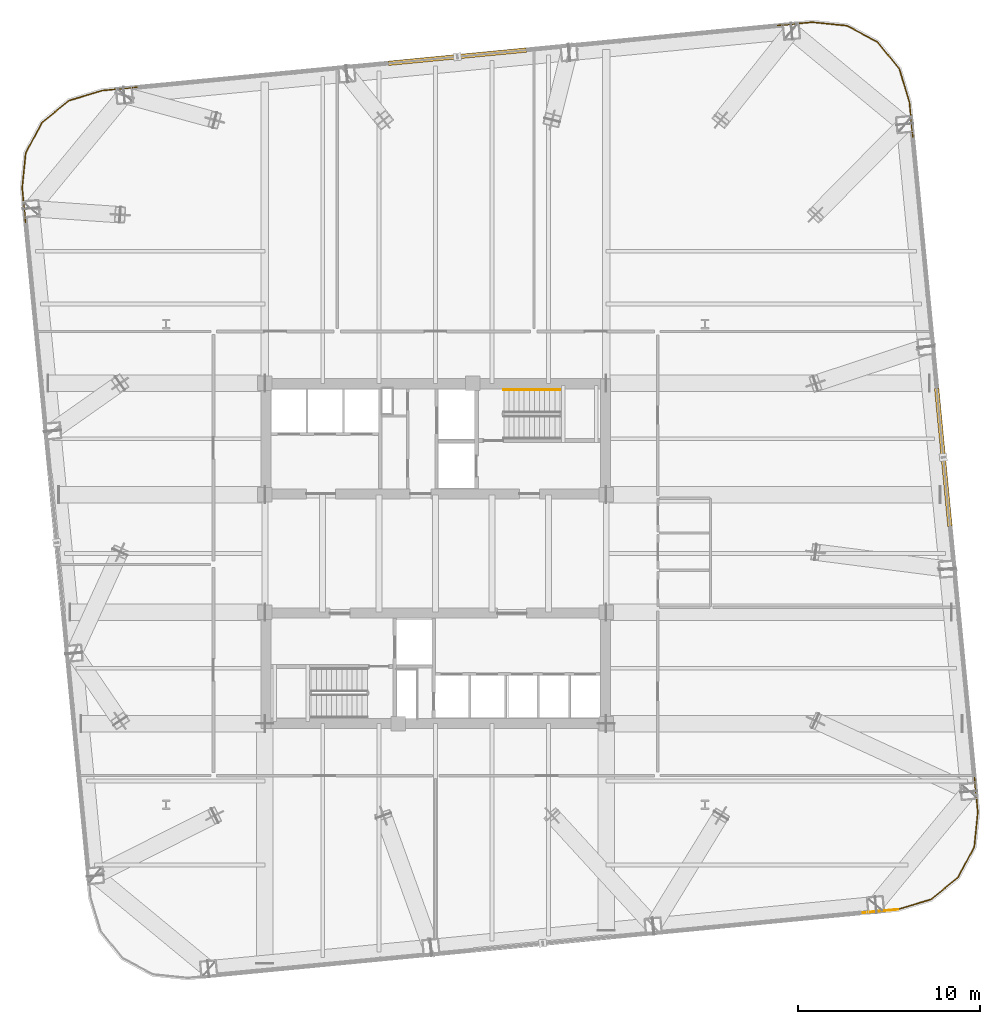
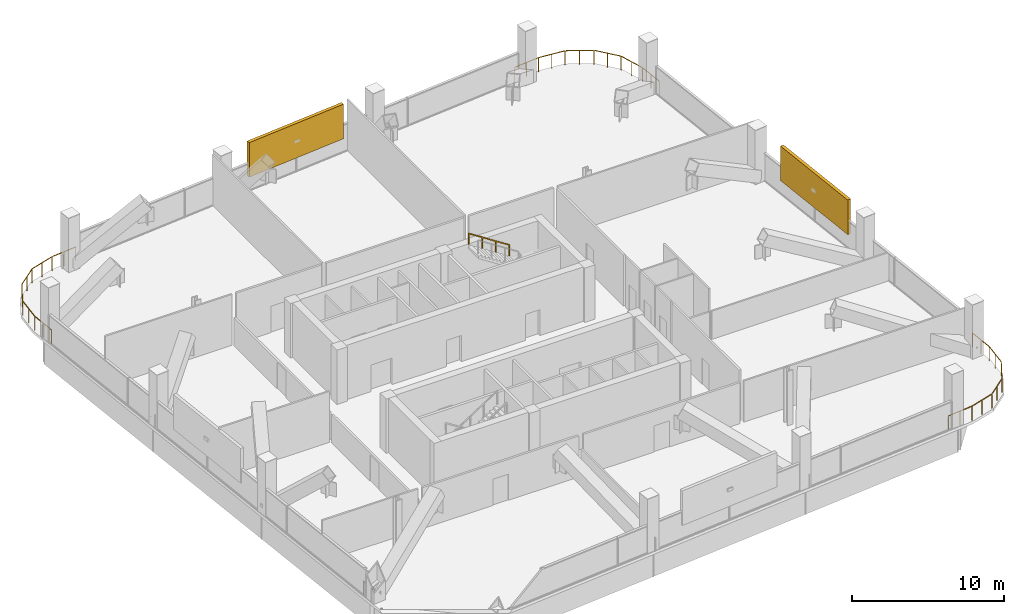
# One storey, part 30 of 30: 5 railings, 2 shading devices.
"""IFC4 building model written with IfcOpenShell, lengths in metres."""

from ifc_helpers import new_model, si_unit, direction, frame, origin, origin_2d, place, context, subcontext, project, spatial, rectangle, extrude, material, type_object, element, save


model = new_model("IFC4")

# Units and contexts
model_context = context("Model", 3, precision=1e-05, world=origin(), true_north=direction((0.0, 1.0)))
body_context = subcontext(model_context, "Body", "Model", "MODEL_VIEW")
ifc_project = project(units=[si_unit("LENGTHUNIT", "METRE"), si_unit("AREAUNIT", "SQUARE_METRE"), si_unit("VOLUMEUNIT", "CUBIC_METRE"), si_unit("PLANEANGLEUNIT", "RADIAN"), si_unit("MASSUNIT", "GRAM", prefix="KILO")], contexts=[model_context])

# Site, building, storey
site_placement = place(None, origin())
site = spatial("IfcSite", under=ifc_project, at=site_placement, CompositionType="ELEMENT")
building_placement = place(site_placement, origin())
building = spatial("IfcBuilding", under=site, at=building_placement, Name="Qhalaya Broadcast Tower", CompositionType="ELEMENT")
storey_placement = place(building_placement, frame((0.0, 0.0, 96.89990234375)))
storey = spatial("IfcBuildingStorey", under=building, at=storey_placement, Name="L28", CompositionType="ELEMENT", Elevation=96.89990234375)

# Railings
ifc_material_1 = material(Name="Powder-Coated Galvanised Steel", Category="steel")
railing_type_1 = type_object("IfcRailingType", Name="Stair Wall Handrail 900", PredefinedType="HANDRAIL", material=ifc_material_1)
railing_1_placement = place(storey_placement, frame((6.830078125, 9.590087890625, 2.3564453125)))
element("IfcRailing", 1, at=railing_1_placement, inside=storey, type_object=railing_type_1, Name="L28 ST-1 Stair Handrail 2", PredefinedType="HANDRAIL", context=body_context, shape_type="SweptSolid", body=[
    extrude(rectangle(XDim=0.048095703125, YDim=0.048095703125, at=origin_2d()), frame((0.0, 0.0, 0.8759765625), z_axis=(-0.839488025565, 0.0, 0.543378187759), x_axis=(0.0, -1.0, 0.0)), (0.0, 0.0, 1.0), 3.6689453125),
    extrude(rectangle(XDim=0.0419921875, YDim=0.0419921875, at=origin_2d()), origin(), (0.0, 0.0, 1.0), 0.849853515625),
    extrude(rectangle(XDim=0.0419921875, YDim=0.0419921875, at=origin_2d()), frame((-1.026611328125, 0.0, 0.66455078125)), (0.0, 0.0, 1.0), 0.849853515625),
    extrude(rectangle(XDim=0.0419921875, YDim=0.0419921875, at=origin_2d()), frame((-2.053466796875, 0.0, 1.3291015625)), (0.0, 0.0, 1.0), 0.849853515625),
    extrude(rectangle(XDim=0.0419921875, YDim=0.0419921875, at=origin_2d()), frame((-3.080078125, 0.0, 1.99365234375)), (0.0, 0.0, 1.0), 0.849853515625),
])
railing_type_2 = type_object("IfcRailingType", Name="Terrace, Sky-Pool & Lookout Glass Balustrade 1150", PredefinedType="BALUSTRADE", material=ifc_material_1)
railing_2_placement = place(storey_placement, frame((25.38427734375, -18.949951171875, 0.0)))
element("IfcRailing", 2, at=railing_2_placement, inside=storey, type_object=railing_type_2, Name="L28 Rounded Corner Perimeter Guard 01", PredefinedType="BALUSTRADE", context=body_context, shape_type="SweptSolid", body=[
    extrude(rectangle(XDim=0.048095703125, YDim=0.048095703125, at=origin_2d()), frame((0.0, 0.0, 1.1259765625), z_axis=(-0.995400577609, -0.095800261458, 0.0), x_axis=(0.095800261458, -0.995400577609, 0.0)), (0.0, 0.0, 1.0), 1.90625),
    extrude(rectangle(XDim=0.0419921875, YDim=0.0419921875, at=origin_2d()), origin(), (0.0, 0.0, 1.0), 1.099853515625),
    extrude(rectangle(XDim=0.0419921875, YDim=0.0419921875, at=origin_2d()), frame((-0.94873046875, -0.09130859375, 0.0)), (0.0, 0.0, 1.0), 1.099853515625),
    extrude(rectangle(XDim=0.0419921875, YDim=0.0419921875, at=origin_2d()), frame((-1.8974609375, -0.1826171875, 0.0)), (0.0, 0.0, 1.0), 1.099853515625),
])
railing_3_placement = place(storey_placement, frame((-22.52197265625, 18.794189453125, 0.0)))
element("IfcRailing", 3, at=railing_3_placement, inside=storey, type_object=railing_type_2, Name="L28 Rounded Corner Perimeter Guard 03", PredefinedType="BALUSTRADE", context=body_context, shape_type="SweptSolid", body=[
    extrude(rectangle(XDim=0.048095703125, YDim=0.048095703125, at=origin_2d()), frame((0.0, 0.0, 1.1259765625), z_axis=(-0.095800261458, 0.995400577609, 0.0), x_axis=(-0.995400577609, -0.095800261458, 0.0)), (0.0, 0.0, 1.0), 1.87744140625),
    extrude(rectangle(XDim=0.048095703125, YDim=0.048095703125, at=origin_2d()), frame((-0.1796875, 1.92626953125, 1.1259765625), z_axis=(0.100071682341, 0.994980230152, 0.0), x_axis=(-0.994980230152, 0.100071682341, 0.0)), (0.0, 0.0, 1.0), 1.857421875),
    extrude(rectangle(XDim=0.048095703125, YDim=0.048095703125, at=origin_2d()), frame((0.022705078125, 3.828369140625, 1.1259765625), z_axis=(0.473342342286, 0.880878554058, 0.0), x_axis=(-0.880878554058, 0.473342342286, 0.0)), (0.0, 0.0, 1.0), 1.845458984375),
    extrude(rectangle(XDim=0.048095703125, YDim=0.048095703125, at=origin_2d()), frame((0.932373046875, 5.497802734375, 1.1259765625), z_axis=(0.774420039683, 0.632671796541, 0.0), x_axis=(-0.632671796541, 0.774420039683, 0.0)), (0.0, 0.0, 1.0), 1.845458984375),
    extrude(rectangle(XDim=0.048095703125, YDim=0.048095703125, at=origin_2d()), frame((2.411376953125, 6.69189453125, 1.1259765625), z_axis=(0.95756627332, 0.288213171456, 0.0), x_axis=(-0.288213171456, 0.95756627332, 0.0)), (0.0, 0.0, 1.0), 1.857421875),
    extrude(rectangle(XDim=0.048095703125, YDim=0.048095703125, at=origin_2d()), frame((4.24658203125, 7.23828125, 1.1259765625), z_axis=(0.995387177703, 0.095939389538, 0.0), x_axis=(-0.095939389538, 0.995387177703, 0.0)), (0.0, 0.0, 1.0), 1.877197265625),
    extrude(rectangle(XDim=0.0419921875, YDim=0.0419921875, at=origin_2d()), origin(), (0.0, 0.0, 1.0), 1.099853515625),
    extrude(rectangle(XDim=0.0419921875, YDim=0.0419921875, at=origin_2d()), frame((-0.09130859375, 0.94873046875, 0.0)), (0.0, 0.0, 1.0), 1.099853515625),
    extrude(rectangle(XDim=0.0419921875, YDim=0.0419921875, at=origin_2d()), frame((-0.1826171875, 1.8974609375, 0.0)), (0.0, 0.0, 1.0), 1.099853515625),
    extrude(rectangle(XDim=0.0419921875, YDim=0.0419921875, at=origin_2d()), frame((-0.0869140625, 2.85009765625, 0.0)), (0.0, 0.0, 1.0), 1.099853515625),
    extrude(rectangle(XDim=0.0419921875, YDim=0.0419921875, at=origin_2d()), frame((0.009033203125, 3.802978515625, 0.0)), (0.0, 0.0, 1.0), 1.099853515625),
    extrude(rectangle(XDim=0.0419921875, YDim=0.0419921875, at=origin_2d()), frame((0.45947265625, 4.64111328125, 0.0)), (0.0, 0.0, 1.0), 1.099853515625),
    extrude(rectangle(XDim=0.0419921875, YDim=0.0419921875, at=origin_2d()), frame((0.909912109375, 5.4794921875, 0.0)), (0.0, 0.0, 1.0), 1.099853515625),
    extrude(rectangle(XDim=0.0419921875, YDim=0.0419921875, at=origin_2d()), frame((1.64697265625, 6.08154296875, 0.0)), (0.0, 0.0, 1.0), 1.099853515625),
    extrude(rectangle(XDim=0.0419921875, YDim=0.0419921875, at=origin_2d()), frame((2.3837890625, 6.68359375, 0.0)), (0.0, 0.0, 1.0), 1.099853515625),
    extrude(rectangle(XDim=0.0419921875, YDim=0.0419921875, at=origin_2d()), frame((3.30078125, 6.95947265625, 0.0)), (0.0, 0.0, 1.0), 1.099853515625),
    extrude(rectangle(XDim=0.0419921875, YDim=0.0419921875, at=origin_2d()), frame((4.2177734375, 7.235595703125, 0.0)), (0.0, 0.0, 1.0), 1.099853515625),
    extrude(rectangle(XDim=0.0419921875, YDim=0.0419921875, at=origin_2d()), frame((5.16650390625, 7.3271484375, 0.0)), (0.0, 0.0, 1.0), 1.099853515625),
    extrude(rectangle(XDim=0.0419921875, YDim=0.0419921875, at=origin_2d()), frame((6.114990234375, 7.41845703125, 0.0)), (0.0, 0.0, 1.0), 1.099853515625),
])
railing_4_placement = place(storey_placement, frame((18.794189453125, 29.60205078125, 0.0)))
element("IfcRailing", 4, at=railing_4_placement, inside=storey, type_object=railing_type_2, Name="L28 Rounded Corner Perimeter Guard 04", PredefinedType="BALUSTRADE", context=body_context, shape_type="SweptSolid", body=[
    extrude(rectangle(XDim=0.048095703125, YDim=0.048095703125, at=origin_2d()), frame((0.0, 0.0, 1.1259765625), z_axis=(0.995400577609, 0.095800261458, 0.0), x_axis=(-0.095800261458, 0.995400577609, 0.0)), (0.0, 0.0, 1.0), 1.87744140625),
    extrude(rectangle(XDim=0.048095703125, YDim=0.048095703125, at=origin_2d()), frame((1.92626953125, 0.1796875, 1.1259765625), z_axis=(0.994980230152, -0.100071682341, 0.0), x_axis=(0.100071682341, 0.994980230152, 0.0)), (0.0, 0.0, 1.0), 1.857421875),
    extrude(rectangle(XDim=0.048095703125, YDim=0.048095703125, at=origin_2d()), frame((3.828369140625, -0.022705078125, 1.1259765625), z_axis=(0.880878554058, -0.473342342286, 0.0), x_axis=(0.473342342286, 0.880878554058, 0.0)), (0.0, 0.0, 1.0), 1.845458984375),
    extrude(rectangle(XDim=0.048095703125, YDim=0.048095703125, at=origin_2d()), frame((5.497802734375, -0.932373046875, 1.1259765625), z_axis=(0.632671796541, -0.774420039683, 0.0), x_axis=(0.774420039683, 0.632671796541, 0.0)), (0.0, 0.0, 1.0), 1.845458984375),
    extrude(rectangle(XDim=0.048095703125, YDim=0.048095703125, at=origin_2d()), frame((6.69189453125, -2.411376953125, 1.1259765625), z_axis=(0.288213171456, -0.95756627332, 0.0), x_axis=(0.95756627332, 0.288213171456, 0.0)), (0.0, 0.0, 1.0), 1.857421875),
    extrude(rectangle(XDim=0.048095703125, YDim=0.048095703125, at=origin_2d()), frame((7.23828125, -4.24658203125, 1.1259765625), z_axis=(0.095927158903, -0.995388356464, 0.0), x_axis=(0.995388356464, 0.095927158903, 0.0)), (0.0, 0.0, 1.0), 1.87744140625),
    extrude(rectangle(XDim=0.0419921875, YDim=0.0419921875, at=origin_2d()), origin(), (0.0, 0.0, 1.0), 1.099853515625),
    extrude(rectangle(XDim=0.0419921875, YDim=0.0419921875, at=origin_2d()), frame((0.94873046875, 0.09130859375, 0.0)), (0.0, 0.0, 1.0), 1.099853515625),
    extrude(rectangle(XDim=0.0419921875, YDim=0.0419921875, at=origin_2d()), frame((1.8974609375, 0.1826171875, 0.0)), (0.0, 0.0, 1.0), 1.099853515625),
    extrude(rectangle(XDim=0.0419921875, YDim=0.0419921875, at=origin_2d()), frame((2.85009765625, 0.0869140625, 0.0)), (0.0, 0.0, 1.0), 1.099853515625),
    extrude(rectangle(XDim=0.0419921875, YDim=0.0419921875, at=origin_2d()), frame((3.802978515625, -0.009033203125, 0.0)), (0.0, 0.0, 1.0), 1.099853515625),
    extrude(rectangle(XDim=0.0419921875, YDim=0.0419921875, at=origin_2d()), frame((4.64111328125, -0.45947265625, 0.0)), (0.0, 0.0, 1.0), 1.099853515625),
    extrude(rectangle(XDim=0.0419921875, YDim=0.0419921875, at=origin_2d()), frame((5.4794921875, -0.909912109375, 0.0)), (0.0, 0.0, 1.0), 1.099853515625),
    extrude(rectangle(XDim=0.0419921875, YDim=0.0419921875, at=origin_2d()), frame((6.08154296875, -1.64697265625, 0.0)), (0.0, 0.0, 1.0), 1.099853515625),
    extrude(rectangle(XDim=0.0419921875, YDim=0.0419921875, at=origin_2d()), frame((6.68359375, -2.3837890625, 0.0)), (0.0, 0.0, 1.0), 1.099853515625),
    extrude(rectangle(XDim=0.0419921875, YDim=0.0419921875, at=origin_2d()), frame((6.95947265625, -3.30078125, 0.0)), (0.0, 0.0, 1.0), 1.099853515625),
    extrude(rectangle(XDim=0.0419921875, YDim=0.0419921875, at=origin_2d()), frame((7.235595703125, -4.2177734375, 0.0)), (0.0, 0.0, 1.0), 1.099853515625),
    extrude(rectangle(XDim=0.0419921875, YDim=0.0419921875, at=origin_2d()), frame((7.3271484375, -5.16650390625, 0.0)), (0.0, 0.0, 1.0), 1.099853515625),
    extrude(rectangle(XDim=0.0419921875, YDim=0.0419921875, at=origin_2d()), frame((7.41845703125, -6.115234375, 0.0)), (0.0, 0.0, 1.0), 1.099853515625),
])
railing_5_placement = place(storey_placement, frame((29.60205078125, -11.71435546875, 0.0)))
element("IfcRailing", 5, at=railing_5_placement, inside=storey, type_object=railing_type_2, Name="L28 Rounded Corner Perimeter Guard 05", PredefinedType="BALUSTRADE", context=body_context, shape_type="SweptSolid", body=[
    extrude(rectangle(XDim=0.048095703125, YDim=0.048095703125, at=origin_2d()), frame((0.0, 0.0, 1.1259765625), z_axis=(0.095800261458, -0.995400577609, 0.0), x_axis=(0.995400577609, 0.095800261458, 0.0)), (0.0, 0.0, 1.0), 1.87744140625),
    extrude(rectangle(XDim=0.048095703125, YDim=0.048095703125, at=origin_2d()), frame((0.1796875, -1.92626953125, 1.1259765625), z_axis=(-0.100084377028, -0.994978953282, 0.0), x_axis=(0.994978953282, -0.100084377028, 0.0)), (0.0, 0.0, 1.0), 1.857177734375),
    extrude(rectangle(XDim=0.048095703125, YDim=0.048095703125, at=origin_2d()), frame((-0.022705078125, -3.828125, 1.1259765625), z_axis=(-0.473288861424, -0.880907290044, 0.0), x_axis=(0.880907290044, -0.473288861424, 0.0)), (0.0, 0.0, 1.0), 1.845703125),
    extrude(rectangle(XDim=0.048095703125, YDim=0.048095703125, at=origin_2d()), frame((-0.932373046875, -5.497802734375, 1.1259765625), z_axis=(-0.774420039683, -0.632671796541, 0.0), x_axis=(0.632671796541, -0.774420039683, 0.0)), (0.0, 0.0, 1.0), 1.845458984375),
    extrude(rectangle(XDim=0.048095703125, YDim=0.048095703125, at=origin_2d()), frame((-2.411376953125, -6.69189453125, 1.1259765625), z_axis=(-0.95756627332, -0.288213171456, 0.0), x_axis=(0.288213171456, -0.95756627332, 0.0)), (0.0, 0.0, 1.0), 1.886474609375),
    extrude(rectangle(XDim=0.0419921875, YDim=0.0419921875, at=origin_2d()), origin(), (0.0, 0.0, 1.0), 1.099853515625),
    extrude(rectangle(XDim=0.0419921875, YDim=0.0419921875, at=origin_2d()), frame((0.09130859375, -0.94873046875, 0.0)), (0.0, 0.0, 1.0), 1.099853515625),
    extrude(rectangle(XDim=0.0419921875, YDim=0.0419921875, at=origin_2d()), frame((0.1826171875, -1.8974609375, 0.0)), (0.0, 0.0, 1.0), 1.099853515625),
    extrude(rectangle(XDim=0.0419921875, YDim=0.0419921875, at=origin_2d()), frame((0.0869140625, -2.85009765625, 0.0)), (0.0, 0.0, 1.0), 1.099853515625),
    extrude(rectangle(XDim=0.0419921875, YDim=0.0419921875, at=origin_2d()), frame((-0.009033203125, -3.802734375, 0.0)), (0.0, 0.0, 1.0), 1.099853515625),
    extrude(rectangle(XDim=0.0419921875, YDim=0.0419921875, at=origin_2d()), frame((-0.45947265625, -4.64111328125, 0.0)), (0.0, 0.0, 1.0), 1.099853515625),
    extrude(rectangle(XDim=0.0419921875, YDim=0.0419921875, at=origin_2d()), frame((-0.909912109375, -5.4794921875, 0.0)), (0.0, 0.0, 1.0), 1.099853515625),
    extrude(rectangle(XDim=0.0419921875, YDim=0.0419921875, at=origin_2d()), frame((-1.64697265625, -6.08154296875, 0.0)), (0.0, 0.0, 1.0), 1.099853515625),
    extrude(rectangle(XDim=0.0419921875, YDim=0.0419921875, at=origin_2d()), frame((-2.3837890625, -6.68359375, 0.0)), (0.0, 0.0, 1.0), 1.099853515625),
    extrude(rectangle(XDim=0.0419921875, YDim=0.0419921875, at=origin_2d()), frame((-3.30078125, -6.95947265625, 0.0)), (0.0, 0.0, 1.0), 1.099853515625),
    extrude(rectangle(XDim=0.0419921875, YDim=0.0419921875, at=origin_2d()), frame((-4.2177734375, -7.235595703125, 0.0)), (0.0, 0.0, 1.0), 1.099853515625),
])

# Shading devices
ifc_material_2 = material(Name="Fired Architectural Terracotta", Category="masonry")
shading_device_type = type_object("IfcShadingDeviceType", Name="Terracotta Baguette Solar Screen Assembly TBS-01", PredefinedType="USERDEFINED", material=ifc_material_2)
for number, where, z_axis, x_axis, name in (
    (6, (27.887451171875, 5.884521484375, 1.139404296875), (0.0, 0.0, 1.0), (-0.09584575252, 0.995396198367, 0.0), "L28 Fired Terracotta Baguette Screen E"),
    (7, (1.195556640625, 27.887451171875, 1.139404296875), (0.0, 0.0, 1.0), (-0.995396198367, -0.09584575252, 0.0), "L28 Fired Terracotta Baguette Screen N"),
):
    element("IfcShadingDevice", number, at=place(storey_placement, frame(where, z_axis=z_axis, x_axis=x_axis)), inside=storey, type_object=shading_device_type, Name=name, ObjectType="BAGUETTE", PredefinedType="USERDEFINED", context=body_context, shape_type="SweptSolid", body=[
        extrude(rectangle(XDim=7.60009765625, YDim=0.239990234375, at=origin_2d()), origin(), (0.0, 0.0, 1.0), 2.76806640625),
    ])

save(model, "model.ifc")
